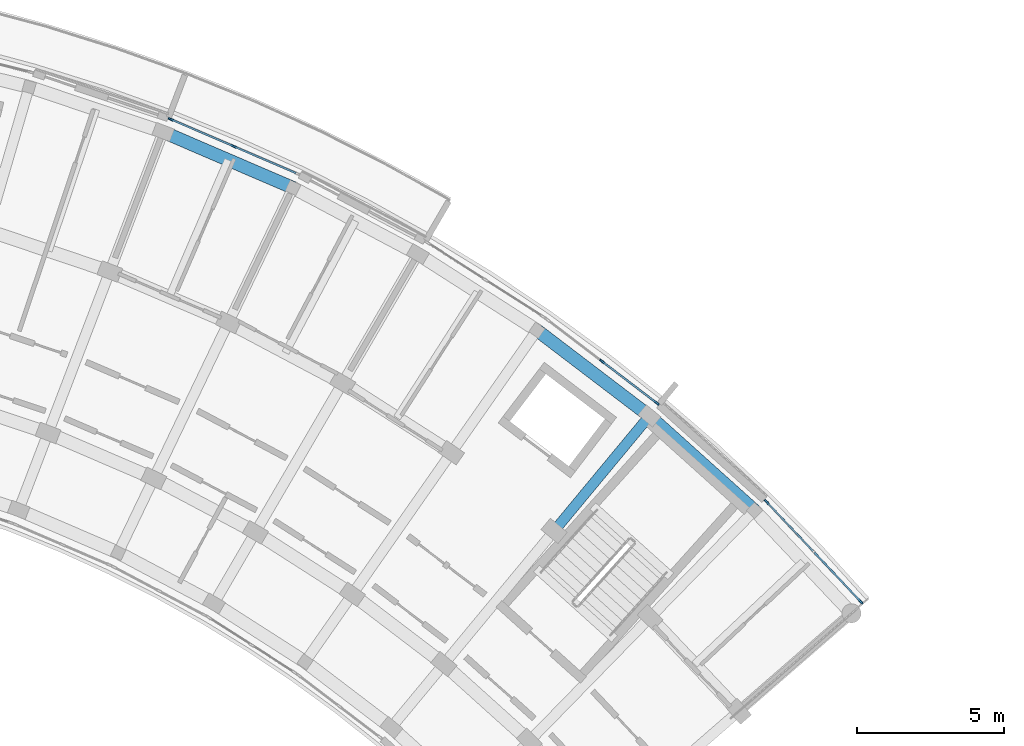
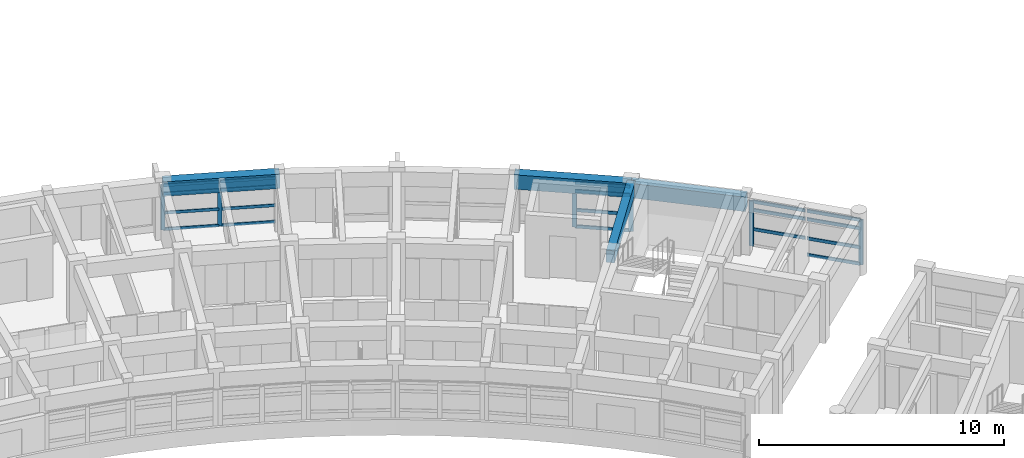
# One storey, part 20 of 50: 25 members, 4 beams, 3 elements without a shape of their own.
"""IFC4 building model written with IfcOpenShell, lengths in metres."""

from ifc_helpers import new_model, si_unit, direction, frame, origin, origin_2d, place, context, subcontext, project, spatial, rectangle, extrude, material, material_profile, profile_set, type_object, element, aggregate, save


model = new_model("IFC4")

# Units and contexts
model_context = context("Model", 3, precision=1e-05, world=origin(), true_north=direction((0.0, 1.0)))
body_context = subcontext(model_context, "Body", "Model", "MODEL_VIEW")
ifc_project = project(units=[si_unit("LENGTHUNIT", "METRE"), si_unit("AREAUNIT", "SQUARE_METRE"), si_unit("VOLUMEUNIT", "CUBIC_METRE"), si_unit("PLANEANGLEUNIT", "RADIAN"), si_unit("MASSUNIT", "GRAM", prefix="KILO")], contexts=[model_context])

# Site, building, storey
site_placement = place(None, origin())
site = spatial("IfcSite", under=ifc_project, at=site_placement, CompositionType="ELEMENT")
building_placement = place(site_placement, origin())
building = spatial("IfcBuilding", under=site, at=building_placement, Name="Zimvara Arc Housing Community", CompositionType="ELEMENT")
storey_placement = place(building_placement, frame((0.0, 0.0, 26.699951171875)))
storey = spatial("IfcBuildingStorey", under=building, at=storey_placement, Name="L08", CompositionType="ELEMENT", Elevation=26.699951171875)

# Beams
ifc_material_1 = material(Name="Concrete C40/50", Category="concrete")
ifc_material_profile_1 = material_profile(ifc_material_1, rectangle(XDim=0.35009765625, YDim=0.60009765625, at=origin_2d()), Name="RC 350x600")
ifc_profile_set_1 = profile_set([ifc_material_profile_1], Name="Concrete C40/50")
beam_type_1 = type_object("IfcBeamType", Name="BM-RC-350x600", PredefinedType="BEAM", material=ifc_profile_set_1)
beam_1_placement = place(storey_placement, frame((79.322265625, 85.9296875, 2.580078125), z_axis=(0.637983669165, 0.77004989311, 0.0), x_axis=(-0.77004989311, 0.637983669165, 0.0)))
element("IfcBeam", 1, at=beam_1_placement, inside=storey, type_object=beam_type_1, Name="bm:blkB:L08:rad:b8:r23", PredefinedType="BEAM", context=body_context, shape_type="SweptSolid", body=[
    extrude(rectangle(XDim=0.35009765625, YDim=0.60009765625, at=origin_2d()), origin(), (0.0, 0.0, 1.0), 5.080078125),
])
ifc_material_2 = material(Name="Concrete C40/50", Category="concrete")
ifc_material_profile_2 = material_profile(ifc_material_2, rectangle(XDim=0.43994140625, YDim=0.719970703125, at=origin_2d()), Name="RC 440x720")
ifc_profile_set_2 = profile_set([ifc_material_profile_2], Name="Concrete C40/50")
beam_type_2 = type_object("IfcBeamType", Name="BM-RC-440x720", PredefinedType="BEAM", material=ifc_profile_set_2)
for number, where, z_axis, x_axis, name in (
    (2, (66.02392578125, 99.49853515625, 2.52001953125), (0.918724276228, -0.394899612901, 0.0), (0.394899612901, 0.918724276228, 0.0), "bm:blkB:L08:chord:r3:b4"),
    (3, (78.738525390625, 92.755126953125, 2.52001953125), (0.795480673672, -0.605978958228, 0.0), (0.605978958228, 0.795480673672, 0.0), "bm:blkB:L08:chord:r3:b7"),
):
    element("IfcBeam", number, at=place(storey_placement, frame(where, z_axis=z_axis, x_axis=x_axis)), inside=storey, type_object=beam_type_2, Name=name, PredefinedType="BEAM", context=body_context, shape_type="SweptSolid", body=[
        extrude(rectangle(XDim=0.43994140625, YDim=0.719970703125, at=origin_2d()), origin(), (0.0, 0.0, 1.0), 4.80810546875),
    ])
beam_2_placement = place(storey_placement, frame((82.563232421875, 89.841552734375, 2.52001953125), z_axis=(0.743395133402, -0.668852506637, 0.0), x_axis=(0.668852506637, 0.743395133402, 0.0)))
element("IfcBeam", 4, at=beam_2_placement, inside=storey, type_object=beam_type_2, Name="bm:blkB:L08:chord:r3:b8", PredefinedType="BEAM", context=body_context, shape_type="SweptSolid", body=[
    extrude(rectangle(XDim=0.43994140625, YDim=0.719970703125, at=origin_2d()), origin(), (0.0, 0.0, 1.0), 4.807861328125),
])

# Curtain wall, members
ifc_material_3 = material(Name="Anodised Aluminium AW-6063", Category="aluminium")
curtain_wall_type_1 = type_object("IfcCurtainWallType", Name="CW-SYS-02", PredefinedType="USERDEFINED", material=ifc_material_3)
curtain_wall_1_placement = place(storey_placement, origin())
curtain_wall_1 = element("IfcCurtainWall", 5, at=curtain_wall_1_placement, inside=storey, type_object=curtain_wall_type_1, Name="cw:blkB:L08:out:b4", ObjectType="CURTAIN WALL", PredefinedType="USERDEFINED")
ifc_material_4 = material(Name="Anodised Aluminium AW-6063", Category="aluminium")
ifc_material_profile_3 = material_profile(ifc_material_4, rectangle(XDim=0.06494140625, YDim=0.179931640625, at=origin_2d()), Name="ALU 65x180")
ifc_profile_set_3 = profile_set([ifc_material_profile_3], Name="Anodised Aluminium AW-6063")
member_type_1 = type_object("IfcMemberType", Name="CWM-65x150", PredefinedType="MULLION", material=ifc_profile_set_3)
member_1_placement = place(storey_placement, frame((66.287353515625, 99.92919921875, 0.0), z_axis=(0.0, 0.0, 1.0), x_axis=(0.394904211998, 0.918722299363, 0.0)))
member_1 = element("IfcMember", 6, at=member_1_placement, type_object=member_type_1, Name="CW02 mullion 1", PredefinedType="MULLION", context=body_context, shape_type="SweptSolid", body=[
    extrude(rectangle(XDim=0.06494140625, YDim=0.179931640625, at=origin_2d()), origin(), (0.0, 0.0, 1.0), 2.25),
])
member_2_placement = place(storey_placement, frame((68.429931640625, 99.00830078125, 0.0), z_axis=(0.0, 0.0, 1.0), x_axis=(0.394904211998, 0.918722299363, 0.0)))
member_2 = element("IfcMember", 7, at=member_2_placement, type_object=member_type_1, Name="CW02 mullion 2", PredefinedType="MULLION", context=body_context, shape_type="SweptSolid", body=[
    extrude(rectangle(XDim=0.06494140625, YDim=0.179931640625, at=origin_2d()), origin(), (0.0, 0.0, 1.0), 2.25),
])

ifc_material_5 = material(Name="Anodised Aluminium AW-6063", Category="aluminium")
curtain_wall_type_2 = type_object("IfcCurtainWallType", Name="CW-SYS-07", PredefinedType="USERDEFINED", material=ifc_material_5)
curtain_wall_2_placement = place(storey_placement, origin())
curtain_wall_2 = element("IfcCurtainWall", 8, at=curtain_wall_2_placement, inside=storey, type_object=curtain_wall_type_2, Name="cw:blkB:L08:out:b7", ObjectType="CURTAIN WALL", PredefinedType="USERDEFINED")
ifc_material_6 = material(Name="Anodised Aluminium AW-6063", Category="aluminium")
ifc_material_profile_4 = material_profile(ifc_material_6, rectangle(XDim=0.06494140625, YDim=0.195068359375, at=origin_2d()), Name="ALU 65x195")
ifc_profile_set_4 = profile_set([ifc_material_profile_4], Name="Anodised Aluminium AW-6063")
member_type_2 = type_object("IfcMemberType", Name="CWM-65x180", PredefinedType="MULLION", material=ifc_profile_set_4)
member_3_placement = place(storey_placement, frame((80.95361328125, 91.69580078125, 0.0), z_axis=(0.0, 0.0, 1.0), x_axis=(0.60598771987, 0.795473999177, 0.0)))
member_3 = element("IfcMember", 9, at=member_3_placement, type_object=member_type_2, Name="CW07 mullion 2", PredefinedType="MULLION", context=body_context, shape_type="SweptSolid", body=[
    extrude(rectangle(XDim=0.06494140625, YDim=0.195068359375, at=origin_2d()), origin(), (0.0, 0.0, 1.0), 2.25),
])
member_4_placement = place(storey_placement, frame((82.80859375, 90.28271484375, 0.0), z_axis=(0.0, 0.0, 1.0), x_axis=(0.60598771987, 0.795473999177, 0.0)))
member_4 = element("IfcMember", 10, at=member_4_placement, type_object=member_type_2, Name="CW07 mullion 3", PredefinedType="MULLION", context=body_context, shape_type="SweptSolid", body=[
    extrude(rectangle(XDim=0.06494140625, YDim=0.195068359375, at=origin_2d()), origin(), (0.0, 0.0, 1.0), 2.25),
])

ifc_material_7 = material(Name="Anodised Aluminium AW-6063", Category="aluminium")
curtain_wall_type_3 = type_object("IfcCurtainWallType", Name="CW-SYS-01", PredefinedType="USERDEFINED", material=ifc_material_7)
curtain_wall_3_placement = place(storey_placement, origin())
curtain_wall_3 = element("IfcCurtainWall", 11, at=curtain_wall_3_placement, inside=storey, type_object=curtain_wall_type_3, Name="cw:blkB:L08:out:b9", ObjectType="CURTAIN WALL", PredefinedType="USERDEFINED")
member_5_placement = place(storey_placement, frame((86.55029296875, 86.916015625, 0.0), z_axis=(0.0, 0.0, 1.0), x_axis=(0.727293647725, 0.686326416495, 0.0)))
member_5 = element("IfcMember", 12, at=member_5_placement, type_object=member_type_2, Name="CW01 mullion 1", PredefinedType="MULLION", context=body_context, shape_type="SweptSolid", body=[
    extrude(rectangle(XDim=0.06494140625, YDim=0.195068359375, at=origin_2d()), origin(), (0.0, 0.0, 1.0), 2.25),
])
member_6_placement = place(storey_placement, frame((89.751220703125, 83.524169921875, 0.0), z_axis=(0.0, 0.0, 1.0), x_axis=(0.727293647725, 0.686326416495, 0.0)))
member_6 = element("IfcMember", 13, at=member_6_placement, type_object=member_type_2, Name="CW01 mullion 3", PredefinedType="MULLION", context=body_context, shape_type="SweptSolid", body=[
    extrude(rectangle(XDim=0.06494140625, YDim=0.195068359375, at=origin_2d()), origin(), (0.0, 0.0, 1.0), 2.25),
])

# Member
ifc_material_8 = material(Name="Anodised Aluminium AW-6063", Category="aluminium")
ifc_material_profile_5 = material_profile(ifc_material_8, rectangle(XDim=0.06494140625, YDim=0.139892578125, at=origin_2d()), Name="ALU 65x140")
ifc_profile_set_5 = profile_set([ifc_material_profile_5], Name="Anodised Aluminium AW-6063")
member_type_3 = type_object("IfcMemberType", Name="CWT-65x120", PredefinedType="USERDEFINED", material=ifc_profile_set_5)
member_7_placement = place(storey_placement, frame((66.3173828125, 99.916259765625, 0.032470703125), z_axis=(0.918704360712, -0.394945942641, 0.0), x_axis=(0.394945942641, 0.918704360712, 0.0)))
member_7 = element("IfcMember", 14, at=member_7_placement, type_object=member_type_3, Name="CW02 transom 1.1", ObjectType="TRANSOM", PredefinedType="USERDEFINED", context=body_context, shape_type="SweptSolid", body=[
    extrude(rectangle(XDim=0.06494140625, YDim=0.139892578125, at=origin_2d()), origin(), (0.0, 0.0, 1.0), 2.266845703125),
])

member_8_placement = place(storey_placement, frame((66.3173828125, 99.916259765625, 0.85009765625), z_axis=(0.918704360712, -0.394945942641, 0.0), x_axis=(0.394945942641, 0.918704360712, 0.0)))
member_8 = element("IfcMember", 15, at=member_8_placement, type_object=member_type_3, Name="CW02 transom 1.2", ObjectType="TRANSOM", PredefinedType="USERDEFINED", context=body_context, shape_type="SweptSolid", body=[
    extrude(rectangle(XDim=0.06494140625, YDim=0.139892578125, at=origin_2d()), origin(), (0.0, 0.0, 1.0), 2.266845703125),
])

member_9_placement = place(storey_placement, frame((66.3173828125, 99.916259765625, 1.800048828125), z_axis=(0.918704360712, -0.394945942641, 0.0), x_axis=(0.394945942641, 0.918704360712, 0.0)))
member_9 = element("IfcMember", 16, at=member_9_placement, type_object=member_type_3, Name="CW02 transom 1.3", ObjectType="TRANSOM", PredefinedType="USERDEFINED", context=body_context, shape_type="SweptSolid", body=[
    extrude(rectangle(XDim=0.06494140625, YDim=0.139892578125, at=origin_2d()), origin(), (0.0, 0.0, 1.0), 2.266845703125),
])

member_10_placement = place(storey_placement, frame((66.3173828125, 99.916259765625, 2.217529296875), z_axis=(0.918704360712, -0.394945942641, 0.0), x_axis=(0.394945942641, 0.918704360712, 0.0)))
member_10 = element("IfcMember", 17, at=member_10_placement, type_object=member_type_3, Name="CW02 transom 1.4", ObjectType="TRANSOM", PredefinedType="USERDEFINED", context=body_context, shape_type="SweptSolid", body=[
    extrude(rectangle(XDim=0.06494140625, YDim=0.139892578125, at=origin_2d()), origin(), (0.0, 0.0, 1.0), 2.266845703125),
])

member_11_placement = place(storey_placement, frame((68.459716796875, 98.995361328125, 0.032470703125), z_axis=(0.918721157939, -0.394906867444, 0.0), x_axis=(0.394906867444, 0.918721157939, 0.0)))
member_11 = element("IfcMember", 18, at=member_11_placement, type_object=member_type_3, Name="CW02 transom 2.1", ObjectType="TRANSOM", PredefinedType="USERDEFINED", context=body_context, shape_type="SweptSolid", body=[
    extrude(rectangle(XDim=0.06494140625, YDim=0.139892578125, at=origin_2d()), origin(), (0.0, 0.0, 1.0), 2.26708984375),
])

member_12_placement = place(storey_placement, frame((68.459716796875, 98.995361328125, 0.85009765625), z_axis=(0.918721157939, -0.394906867444, 0.0), x_axis=(0.394906867444, 0.918721157939, 0.0)))
member_12 = element("IfcMember", 19, at=member_12_placement, type_object=member_type_3, Name="CW02 transom 2.2", ObjectType="TRANSOM", PredefinedType="USERDEFINED", context=body_context, shape_type="SweptSolid", body=[
    extrude(rectangle(XDim=0.06494140625, YDim=0.139892578125, at=origin_2d()), origin(), (0.0, 0.0, 1.0), 2.26708984375),
])

member_13_placement = place(storey_placement, frame((68.459716796875, 98.995361328125, 1.800048828125), z_axis=(0.918721157939, -0.394906867444, 0.0), x_axis=(0.394906867444, 0.918721157939, 0.0)))
member_13 = element("IfcMember", 20, at=member_13_placement, type_object=member_type_3, Name="CW02 transom 2.3", ObjectType="TRANSOM", PredefinedType="USERDEFINED", context=body_context, shape_type="SweptSolid", body=[
    extrude(rectangle(XDim=0.06494140625, YDim=0.139892578125, at=origin_2d()), origin(), (0.0, 0.0, 1.0), 2.26708984375),
])

member_14_placement = place(storey_placement, frame((68.459716796875, 98.995361328125, 2.217529296875), z_axis=(0.918721157939, -0.394906867444, 0.0), x_axis=(0.394906867444, 0.918721157939, 0.0)))
member_14 = element("IfcMember", 21, at=member_14_placement, type_object=member_type_3, Name="CW02 transom 2.4", ObjectType="TRANSOM", PredefinedType="USERDEFINED", context=body_context, shape_type="SweptSolid", body=[
    extrude(rectangle(XDim=0.06494140625, YDim=0.139892578125, at=origin_2d()), origin(), (0.0, 0.0, 1.0), 2.26708984375),
])

aggregate(curtain_wall_1, [member_1, member_2, member_7, member_8, member_9, member_10, member_11, member_12, member_13, member_14])

ifc_material_9 = material(Name="Anodised Aluminium AW-6063", Category="aluminium")
ifc_material_profile_6 = material_profile(ifc_material_9, rectangle(XDim=0.06494140625, YDim=0.155029296875, at=origin_2d()), Name="ALU 65x155")
ifc_profile_set_6 = profile_set([ifc_material_profile_6], Name="Anodised Aluminium AW-6063")
member_type_4 = type_object("IfcMemberType", Name="CWT-65x140", PredefinedType="USERDEFINED", material=ifc_profile_set_6)
member_15_placement = place(storey_placement, frame((80.9794921875, 91.676025390625, 0.032470703125), z_axis=(0.795505886513, -0.605945859399, 0.0), x_axis=(0.605945859399, 0.795505886513, 0.0)))
member_15 = element("IfcMember", 22, at=member_15_placement, type_object=member_type_4, Name="CW07 transom 2.1", ObjectType="TRANSOM", PredefinedType="USERDEFINED", context=body_context, shape_type="SweptSolid", body=[
    extrude(rectangle(XDim=0.06494140625, YDim=0.155029296875, at=origin_2d()), origin(), (0.0, 0.0, 1.0), 2.266845703125),
])

member_16_placement = place(storey_placement, frame((80.9794921875, 91.676025390625, 0.85009765625), z_axis=(0.795505886513, -0.605945859399, 0.0), x_axis=(0.605945859399, 0.795505886513, 0.0)))
member_16 = element("IfcMember", 23, at=member_16_placement, type_object=member_type_4, Name="CW07 transom 2.2", ObjectType="TRANSOM", PredefinedType="USERDEFINED", context=body_context, shape_type="SweptSolid", body=[
    extrude(rectangle(XDim=0.06494140625, YDim=0.155029296875, at=origin_2d()), origin(), (0.0, 0.0, 1.0), 2.266845703125),
])

member_17_placement = place(storey_placement, frame((80.9794921875, 91.676025390625, 1.800048828125), z_axis=(0.795505886513, -0.605945859399, 0.0), x_axis=(0.605945859399, 0.795505886513, 0.0)))
member_17 = element("IfcMember", 24, at=member_17_placement, type_object=member_type_4, Name="CW07 transom 2.3", ObjectType="TRANSOM", PredefinedType="USERDEFINED", context=body_context, shape_type="SweptSolid", body=[
    extrude(rectangle(XDim=0.06494140625, YDim=0.155029296875, at=origin_2d()), origin(), (0.0, 0.0, 1.0), 2.266845703125),
])

member_18_placement = place(storey_placement, frame((80.9794921875, 91.676025390625, 2.217529296875), z_axis=(0.795505886513, -0.605945859399, 0.0), x_axis=(0.605945859399, 0.795505886513, 0.0)))
member_18 = element("IfcMember", 25, at=member_18_placement, type_object=member_type_4, Name="CW07 transom 2.4", ObjectType="TRANSOM", PredefinedType="USERDEFINED", context=body_context, shape_type="SweptSolid", body=[
    extrude(rectangle(XDim=0.06494140625, YDim=0.155029296875, at=origin_2d()), origin(), (0.0, 0.0, 1.0), 2.266845703125),
])

aggregate(curtain_wall_2, [member_3, member_4, member_15, member_16, member_17, member_18])

member_19_placement = place(storey_placement, frame((86.572509765625, 86.892333984375, 0.85009765625), z_axis=(0.686348357589, -0.727272941911, 0.0), x_axis=(0.727272941911, 0.686348357589, 0.0)))
member_19 = element("IfcMember", 26, at=member_19_placement, type_object=member_type_4, Name="CW01 transom 1.2", ObjectType="TRANSOM", PredefinedType="USERDEFINED", context=body_context, shape_type="SweptSolid", body=[
    extrude(rectangle(XDim=0.06494140625, YDim=0.155029296875, at=origin_2d()), origin(), (0.0, 0.0, 1.0), 2.266845703125),
])

member_20_placement = place(storey_placement, frame((86.572509765625, 86.892333984375, 1.800048828125), z_axis=(0.686348357589, -0.727272941911, 0.0), x_axis=(0.727272941911, 0.686348357589, 0.0)))
member_20 = element("IfcMember", 27, at=member_20_placement, type_object=member_type_4, Name="CW01 transom 1.3", ObjectType="TRANSOM", PredefinedType="USERDEFINED", context=body_context, shape_type="SweptSolid", body=[
    extrude(rectangle(XDim=0.06494140625, YDim=0.155029296875, at=origin_2d()), origin(), (0.0, 0.0, 1.0), 2.266845703125),
])

member_21_placement = place(storey_placement, frame((86.572509765625, 86.892333984375, 2.217529296875), z_axis=(0.686348357589, -0.727272941911, 0.0), x_axis=(0.727272941911, 0.686348357589, 0.0)))
member_21 = element("IfcMember", 28, at=member_21_placement, type_object=member_type_4, Name="CW01 transom 1.4", ObjectType="TRANSOM", PredefinedType="USERDEFINED", context=body_context, shape_type="SweptSolid", body=[
    extrude(rectangle(XDim=0.06494140625, YDim=0.155029296875, at=origin_2d()), origin(), (0.0, 0.0, 1.0), 2.266845703125),
])

member_22_placement = place(storey_placement, frame((88.173095703125, 85.196533203125, 0.032470703125), z_axis=(0.68623762882, -0.727377423894, 0.0), x_axis=(0.727377423894, 0.68623762882, 0.0)))
member_22 = element("IfcMember", 29, at=member_22_placement, type_object=member_type_4, Name="CW01 transom 2.1", ObjectType="TRANSOM", PredefinedType="USERDEFINED", context=body_context, shape_type="SweptSolid", body=[
    extrude(rectangle(XDim=0.06494140625, YDim=0.155029296875, at=origin_2d()), origin(), (0.0, 0.0, 1.0), 2.266845703125),
])

member_23_placement = place(storey_placement, frame((88.173095703125, 85.196533203125, 0.85009765625), z_axis=(0.68623762882, -0.727377423894, 0.0), x_axis=(0.727377423894, 0.68623762882, 0.0)))
member_23 = element("IfcMember", 30, at=member_23_placement, type_object=member_type_4, Name="CW01 transom 2.2", ObjectType="TRANSOM", PredefinedType="USERDEFINED", context=body_context, shape_type="SweptSolid", body=[
    extrude(rectangle(XDim=0.06494140625, YDim=0.155029296875, at=origin_2d()), origin(), (0.0, 0.0, 1.0), 2.266845703125),
])

member_24_placement = place(storey_placement, frame((88.173095703125, 85.196533203125, 1.800048828125), z_axis=(0.68623762882, -0.727377423894, 0.0), x_axis=(0.727377423894, 0.68623762882, 0.0)))
member_24 = element("IfcMember", 31, at=member_24_placement, type_object=member_type_4, Name="CW01 transom 2.3", ObjectType="TRANSOM", PredefinedType="USERDEFINED", context=body_context, shape_type="SweptSolid", body=[
    extrude(rectangle(XDim=0.06494140625, YDim=0.155029296875, at=origin_2d()), origin(), (0.0, 0.0, 1.0), 2.266845703125),
])

member_25_placement = place(storey_placement, frame((88.173095703125, 85.196533203125, 2.217529296875), z_axis=(0.68623762882, -0.727377423894, 0.0), x_axis=(0.727377423894, 0.68623762882, 0.0)))
member_25 = element("IfcMember", 32, at=member_25_placement, type_object=member_type_4, Name="CW01 transom 2.4", ObjectType="TRANSOM", PredefinedType="USERDEFINED", context=body_context, shape_type="SweptSolid", body=[
    extrude(rectangle(XDim=0.06494140625, YDim=0.155029296875, at=origin_2d()), origin(), (0.0, 0.0, 1.0), 2.266845703125),
])

aggregate(curtain_wall_3, [member_5, member_6, member_19, member_20, member_21, member_22, member_23, member_24, member_25])

save(model, "model.ifc")
